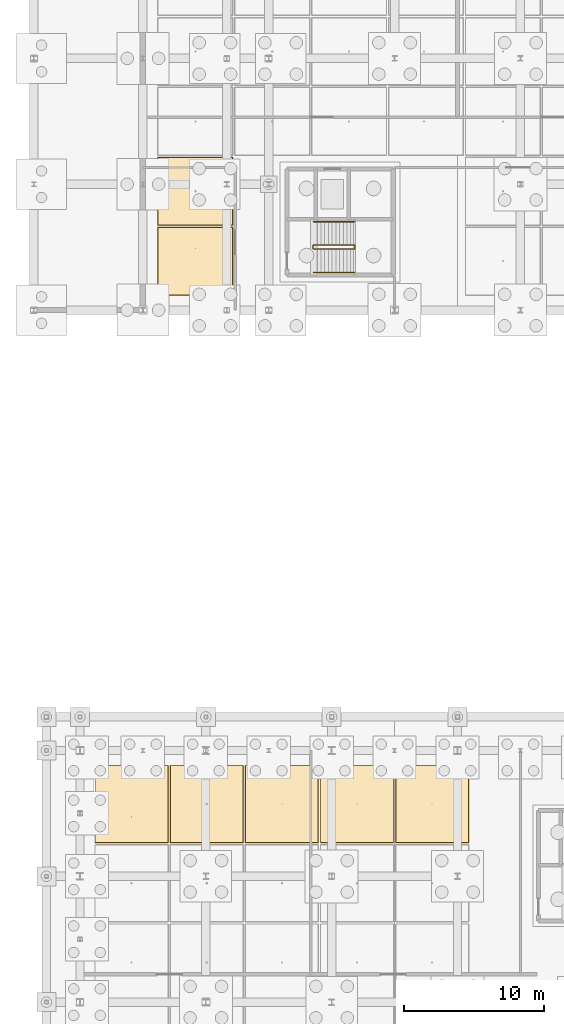
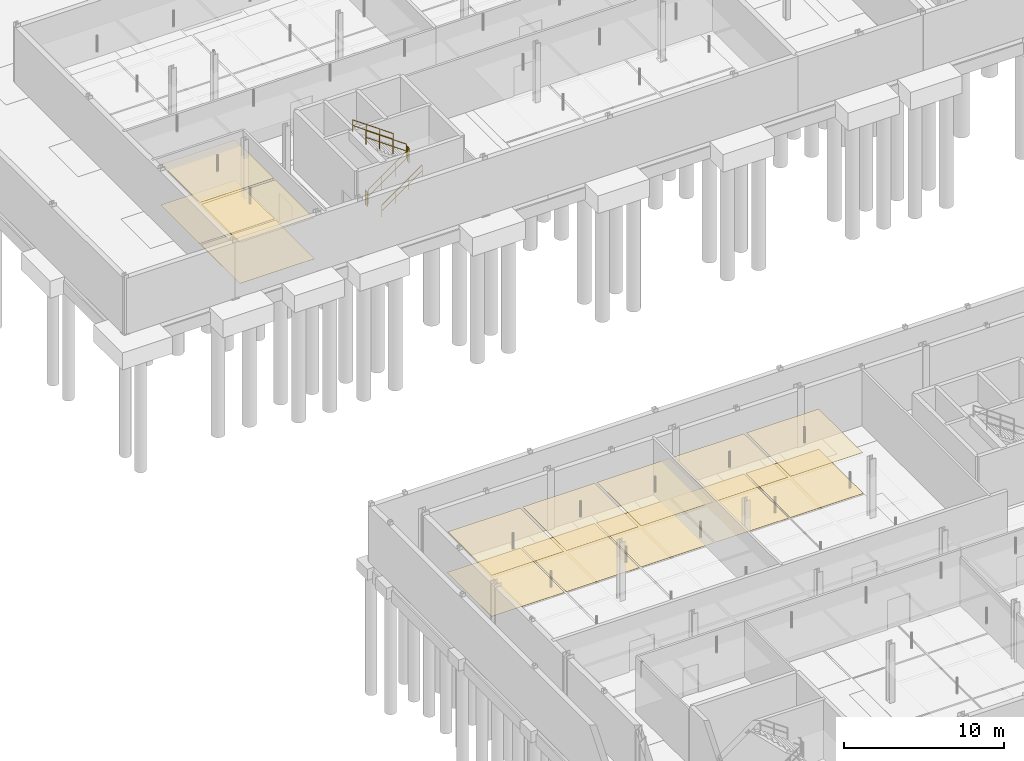
# One storey, part 44 of 48: 14 coverings, 6 railings.
"""IFC4 building model written with IfcOpenShell, lengths in metres."""

from ifc_helpers import new_model, si_unit, direction, frame, origin, origin_2d, place, context, subcontext, project, spatial, rectangle, circle, extrude, material, layer, layer_set, type_object, element, save


model = new_model("IFC4")

# Units and contexts
model_context = context("Model", 3, precision=1e-05, world=origin(), true_north=direction((0.0, 1.0)))
body_context = subcontext(model_context, "Body", "Model", "MODEL_VIEW")
ifc_project = project(units=[si_unit("LENGTHUNIT", "METRE"), si_unit("AREAUNIT", "SQUARE_METRE"), si_unit("VOLUMEUNIT", "CUBIC_METRE"), si_unit("PLANEANGLEUNIT", "RADIAN"), si_unit("MASSUNIT", "GRAM", prefix="KILO"), si_unit("THERMODYNAMICTEMPERATUREUNIT", "KELVIN"), si_unit("POWERUNIT", "WATT")], contexts=[model_context])

# Site, building, storey
site_placement = place(None, origin())
site = spatial("IfcSite", under=ifc_project, at=site_placement, CompositionType="ELEMENT")
building_placement = place(site_placement, origin())
building = spatial("IfcBuilding", under=site, at=building_placement, Name="Tallowbark Science Centre", CompositionType="ELEMENT")
storey_placement = place(building_placement, frame((0.0, 0.0, -4.5)))
storey = spatial("IfcBuildingStorey", under=building, at=storey_placement, Name="B1", CompositionType="ELEMENT", Elevation=-4.5)

# Coverings
ifc_material_1 = material(Name="Mineral-Fibre Acoustic Ceiling Tile Grid")
ifc_layer_1 = layer(ifc_material_1, 0.01806640625)
ifc_layer_set_1 = layer_set([ifc_layer_1], Name="Mineral-Fibre Acoustic Ceiling Tile Grid")
covering_type_1 = type_object("IfcCoveringType", Name="CLG-ACT-18", PredefinedType="CEILING", material=ifc_layer_set_1)
for number, where, z_axis, x_axis, name in (
    (1, (62.1875, 36.666748046875, 3.091064453125), (0.0, 0.0, 1.0), (1.0, 0.0, 0.0), "Suspended Ceiling B1-4"),
    (2, (67.5625, 36.666748046875, 3.091064453125), (0.0, 0.0, 1.0), (1.0, 0.0, 0.0), "Suspended Ceiling B1-8"),
    (3, (72.9375, 36.666748046875, 3.091064453125), (0.0, 0.0, 1.0), (1.0, 0.0, 0.0), "Suspended Ceiling B1-12"),
    (4, (78.3125, 36.666748046875, 3.091064453125), (0.0, 0.0, 1.0), (1.0, 0.0, 0.0), "Suspended Ceiling B1-18"),
    (5, (83.6875, 36.666748046875, 3.091064453125), (0.0, 0.0, 1.0), (1.0, 0.0, 0.0), "Suspended Ceiling B1-24"),
):
    element("IfcCovering", number, at=place(storey_placement, frame(where, z_axis=z_axis, x_axis=x_axis)), inside=storey, type_object=covering_type_1, Name=name, PredefinedType="CEILING", context=body_context, shape_type="SweptSolid", body=[
        extrude(rectangle(XDim=5.195068359375, YDim=5.48681640625, at=origin_2d()), origin(), (0.0, 0.0, 1.0), 0.01806640625),
    ])
ifc_material_2 = material(Name="Cleanable Vinyl-Faced Laboratory Ceiling Tile")
ifc_layer_2 = layer(ifc_material_2, 0.01611328125)
ifc_layer_set_2 = layer_set([ifc_layer_2], Name="Cleanable Vinyl-Faced Laboratory Ceiling Tile")
covering_type_2 = type_object("IfcCoveringType", Name="CLG-LAB-16", PredefinedType="CEILING", material=ifc_layer_set_2)
for number, where, z_axis, x_axis, name in (
    (6, (66.75, 75.5, 3.092041015625), (0.0, 0.0, 1.0), (1.0, 0.0, 0.0), "Suspended Ceiling B1-34"),
    (7, (66.75, 80.5, 3.092041015625), (0.0, 0.0, 1.0), (1.0, 0.0, 0.0), "Suspended Ceiling B1-35"),
):
    element("IfcCovering", number, at=place(storey_placement, frame(where, z_axis=z_axis, x_axis=x_axis)), inside=storey, type_object=covering_type_2, Name=name, PredefinedType="CEILING", context=body_context, shape_type="SweptSolid", body=[
        extrude(rectangle(XDim=5.320068359375, YDim=4.820068359375, at=origin_2d()), origin(), (0.0, 0.0, 1.0), 0.01611328125),
    ])
ifc_material_3 = material(Name="Chemical-Resistant Seamless Laboratory Vinyl")
ifc_layer_3 = layer(ifc_material_3, 0.011962890625)
ifc_layer_set_3 = layer_set([ifc_layer_3], Name="Chemical-Resistant Seamless Laboratory Vinyl")
covering_type_3 = type_object("IfcCoveringType", Name="FLR-VIN-12", PredefinedType="FLOORING", material=ifc_layer_set_3)
for number, where, z_axis, x_axis, name in (
    (8, (62.1875, 36.666748046875, 0.0), (0.0, 0.0, 1.0), (1.0, 0.0, 0.0), "Floor Finish B1-4"),
    (9, (67.5625, 36.666748046875, 0.0), (0.0, 0.0, 1.0), (1.0, 0.0, 0.0), "Floor Finish B1-8"),
    (10, (72.9375, 36.666748046875, 0.0), (0.0, 0.0, 1.0), (1.0, 0.0, 0.0), "Floor Finish B1-12"),
    (11, (78.3125, 36.666748046875, 0.0), (0.0, 0.0, 1.0), (1.0, 0.0, 0.0), "Floor Finish B1-18"),
    (12, (83.6875, 36.666748046875, 0.0), (0.0, 0.0, 1.0), (1.0, 0.0, 0.0), "Floor Finish B1-24"),
):
    element("IfcCovering", number, at=place(storey_placement, frame(where, z_axis=z_axis, x_axis=x_axis)), inside=storey, type_object=covering_type_3, Name=name, PredefinedType="FLOORING", context=body_context, shape_type="SweptSolid", body=[
        extrude(rectangle(XDim=5.2548828125, YDim=5.546630859375, at=origin_2d()), origin(), (0.0, 0.0, 1.0), 0.011962890625),
    ])
for number, where, z_axis, x_axis, name in (
    (13, (66.75, 75.5, 0.0), (0.0, 0.0, 1.0), (1.0, 0.0, 0.0), "Floor Finish B1-34"),
    (14, (66.75, 80.5, 0.0), (0.0, 0.0, 1.0), (1.0, 0.0, 0.0), "Floor Finish B1-35"),
):
    element("IfcCovering", number, at=place(storey_placement, frame(where, z_axis=z_axis, x_axis=x_axis)), inside=storey, type_object=covering_type_3, Name=name, PredefinedType="FLOORING", context=body_context, shape_type="SweptSolid", body=[
        extrude(rectangle(XDim=5.3798828125, YDim=4.8798828125, at=origin_2d()), origin(), (0.0, 0.0, 1.0), 0.011962890625),
    ])

# Railings
ifc_material_4 = material(Name="Galvanised Painted Steel and Laminated Glass Balustrade", Category="steel")
ifc_layer_4 = layer(ifc_material_4, 0.070068359375)
ifc_layer_set_4 = layer_set([ifc_layer_4], Name="Galvanised Painted Steel and Laminated Glass Balustrade")
railing_type_1 = type_object("IfcRailingType", Name="RLG-BAL-1150", PredefinedType="BALUSTRADE", material=ifc_layer_set_4)
railing_1_placement = place(storey_placement, frame((75.2099609375, 76.360107421875, 0.1875)))
element("IfcRailing", 15, at=railing_1_placement, inside=storey, type_object=railing_type_1, Name="B1 ST-01 stair guard 1", PredefinedType="BALUSTRADE", context=body_context, shape_type="SweptSolid", body=[
    extrude(circle(Radius=0.02392578125, at=origin_2d()), frame((0.0, 0.0, 1.076171875), z_axis=(0.816330724661, 0.0, 0.577584753931), x_axis=(0.0, 1.0, 0.0)), (0.0, 0.0, 1.0), 3.57080078125),
    extrude(circle(Radius=0.02392578125, at=origin_2d()), frame((0.0, 0.0, 0.550048828125), z_axis=(0.816330724661, 0.0, 0.577584753931), x_axis=(0.0, 1.0, 0.0)), (0.0, 0.0, 1.0), 3.57080078125),
    extrude(circle(Radius=0.02099609375, at=origin_2d()), origin(), (0.0, 0.0, 1.0), 1.052001953125),
    extrude(circle(Radius=0.02099609375, at=origin_2d()), frame((0.9716796875, 0.0, 0.6875)), (0.0, 0.0, 1.0), 1.052001953125),
    extrude(circle(Radius=0.02099609375, at=origin_2d()), frame((1.943359375, 0.0, 1.375)), (0.0, 0.0, 1.0), 1.052001953125),
    extrude(circle(Radius=0.02099609375, at=origin_2d()), frame((2.9150390625, 0.0, 2.0625)), (0.0, 0.0, 1.0), 1.052001953125),
])
railing_2_placement = place(storey_placement, frame((78.175048828125, 76.409912109375, 2.25)))
element("IfcRailing", 16, at=railing_2_placement, inside=storey, type_object=railing_type_1, Name="B1 ST-01 stair guard 2", PredefinedType="BALUSTRADE", context=body_context, shape_type="SweptSolid", body=[
    extrude(circle(Radius=0.02392578125, at=origin_2d()), frame((0.0, 0.0, 1.076171875), z_axis=(0.0, 1.0, 0.0), x_axis=(-1.0, 0.0, 0.0)), (0.0, 0.0, 1.0), 0.2001953125),
    extrude(circle(Radius=0.02392578125, at=origin_2d()), frame((0.0, 0.0, 0.550048828125), z_axis=(0.0, 1.0, 0.0), x_axis=(-1.0, 0.0, 0.0)), (0.0, 0.0, 1.0), 0.2001953125),
    extrude(circle(Radius=0.02099609375, at=origin_2d()), origin(), (0.0, 0.0, 1.0), 1.052001953125),
    extrude(circle(Radius=0.02099609375, at=origin_2d()), frame((0.0, 0.2001953125, 0.0)), (0.0, 0.0, 1.0), 1.052001953125),
])
railing_3_placement = place(storey_placement, frame((78.125, 76.659912109375, 2.4375)))
element("IfcRailing", 17, at=railing_3_placement, inside=storey, type_object=railing_type_1, Name="B1 ST-01 stair guard 3", PredefinedType="BALUSTRADE", context=body_context, shape_type="SweptSolid", body=[
    extrude(circle(Radius=0.02392578125, at=origin_2d()), frame((0.0, 0.0, 1.076171875), z_axis=(-0.816330724661, 0.0, 0.577584753931), x_axis=(0.0, -1.0, 0.0)), (0.0, 0.0, 1.0), 3.57080078125),
    extrude(circle(Radius=0.02392578125, at=origin_2d()), frame((0.0, 0.0, 0.550048828125), z_axis=(-0.816330724661, 0.0, 0.577584753931), x_axis=(0.0, -1.0, 0.0)), (0.0, 0.0, 1.0), 3.57080078125),
    extrude(circle(Radius=0.02099609375, at=origin_2d()), origin(), (0.0, 0.0, 1.0), 1.052001953125),
    extrude(circle(Radius=0.02099609375, at=origin_2d()), frame((-0.9716796875, 0.0, 0.6875)), (0.0, 0.0, 1.0), 1.052001953125),
    extrude(circle(Radius=0.02099609375, at=origin_2d()), frame((-1.943359375, 0.0, 1.375)), (0.0, 0.0, 1.0), 1.052001953125),
    extrude(circle(Radius=0.02099609375, at=origin_2d()), frame((-2.9150390625, 0.0, 2.0625)), (0.0, 0.0, 1.0), 1.052001953125),
])
railing_4_placement = place(storey_placement, frame((75.159912109375, 76.409912109375, 0.0)))
element("IfcRailing", 18, at=railing_4_placement, inside=storey, type_object=railing_type_1, Name="B1 ST-01 stair guard 4", PredefinedType="BALUSTRADE", context=body_context, shape_type="SweptSolid", body=[
    extrude(circle(Radius=0.02392578125, at=origin_2d()), frame((0.0, 0.0, 1.076171875), z_axis=(0.0, 1.0, 0.0), x_axis=(-1.0, 0.0, 0.0)), (0.0, 0.0, 1.0), 0.2001953125),
    extrude(circle(Radius=0.02392578125, at=origin_2d()), frame((0.0, 0.0, 0.550048828125), z_axis=(0.0, 1.0, 0.0), x_axis=(-1.0, 0.0, 0.0)), (0.0, 0.0, 1.0), 0.2001953125),
    extrude(circle(Radius=0.02099609375, at=origin_2d()), origin(), (0.0, 0.0, 1.0), 1.052001953125),
    extrude(circle(Radius=0.02099609375, at=origin_2d()), frame((0.0, 0.2001953125, 0.0)), (0.0, 0.0, 1.0), 1.052001953125),
])
ifc_material_5 = material(Name="Brushed Grade 316 Stainless Steel Handrail", Category="steel")
ifc_layer_5 = layer(ifc_material_5, 0.050048828125)
ifc_layer_set_5 = layer_set([ifc_layer_5], Name="Brushed Grade 316 Stainless Steel Handrail")
railing_type_2 = type_object("IfcRailingType", Name="RLG-HDR-950", PredefinedType="HANDRAIL", material=ifc_layer_set_5)
railing_5_placement = place(storey_placement, frame((75.2099609375, 74.699951171875, 0.1875)))
element("IfcRailing", 19, at=railing_5_placement, inside=storey, type_object=railing_type_2, Name="B1 ST-01 stair handrail 1", PredefinedType="HANDRAIL", context=body_context, shape_type="SweptSolid", body=[
    extrude(circle(Radius=0.02392578125, at=origin_2d()), frame((0.0, 0.0, 0.8759765625), z_axis=(0.816330724661, 0.0, 0.577584753931), x_axis=(0.0, 1.0, 0.0)), (0.0, 0.0, 1.0), 3.57080078125),
    extrude(circle(Radius=0.02392578125, at=origin_2d()), frame((0.0, 0.0, 0.449951171875), z_axis=(0.816330724661, 0.0, 0.577584753931), x_axis=(0.0, 1.0, 0.0)), (0.0, 0.0, 1.0), 3.57080078125),
    extrude(circle(Radius=0.02099609375, at=origin_2d()), origin(), (0.0, 0.0, 1.0), 0.851806640625),
    extrude(circle(Radius=0.02099609375, at=origin_2d()), frame((0.9716796875, 0.0, 0.6875)), (0.0, 0.0, 1.0), 0.851806640625),
    extrude(circle(Radius=0.02099609375, at=origin_2d()), frame((1.943359375, 0.0, 1.375)), (0.0, 0.0, 1.0), 0.851806640625),
    extrude(circle(Radius=0.02099609375, at=origin_2d()), frame((2.9150390625, 0.0, 2.0625)), (0.0, 0.0, 1.0), 0.851806640625),
])
railing_6_placement = place(storey_placement, frame((78.125, 78.320068359375, 2.4375)))
element("IfcRailing", 20, at=railing_6_placement, inside=storey, type_object=railing_type_2, Name="B1 ST-01 stair handrail 2", PredefinedType="HANDRAIL", context=body_context, shape_type="SweptSolid", body=[
    extrude(circle(Radius=0.02392578125, at=origin_2d()), frame((0.0, 0.0, 0.8759765625), z_axis=(-0.816330724661, 0.0, 0.577584753931), x_axis=(0.0, -1.0, 0.0)), (0.0, 0.0, 1.0), 3.57080078125),
    extrude(circle(Radius=0.02392578125, at=origin_2d()), frame((0.0, 0.0, 0.449951171875), z_axis=(-0.816330724661, 0.0, 0.577584753931), x_axis=(0.0, -1.0, 0.0)), (0.0, 0.0, 1.0), 3.57080078125),
    extrude(circle(Radius=0.02099609375, at=origin_2d()), origin(), (0.0, 0.0, 1.0), 0.851806640625),
    extrude(circle(Radius=0.02099609375, at=origin_2d()), frame((-0.9716796875, 0.0, 0.6875)), (0.0, 0.0, 1.0), 0.851806640625),
    extrude(circle(Radius=0.02099609375, at=origin_2d()), frame((-1.943359375, 0.0, 1.375)), (0.0, 0.0, 1.0), 0.851806640625),
    extrude(circle(Radius=0.02099609375, at=origin_2d()), frame((-2.9150390625, 0.0, 2.0625)), (0.0, 0.0, 1.0), 0.851806640625),
])

save(model, "model.ifc")
